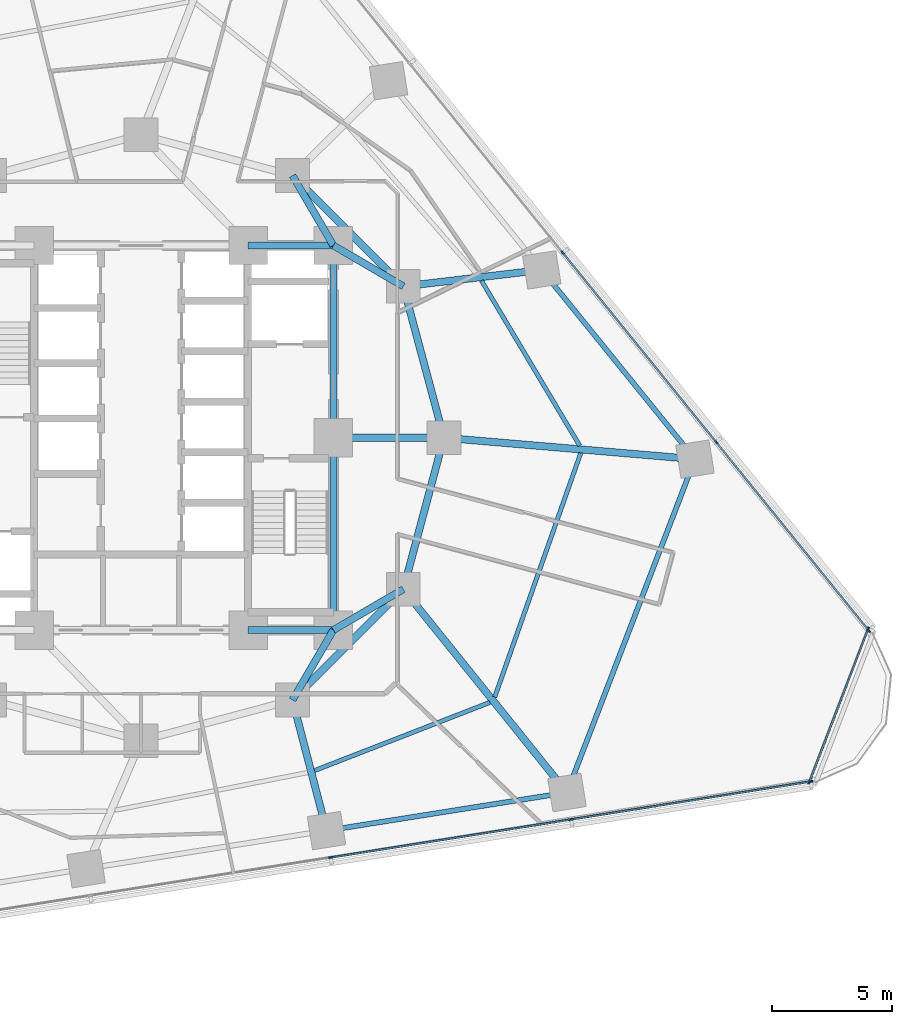
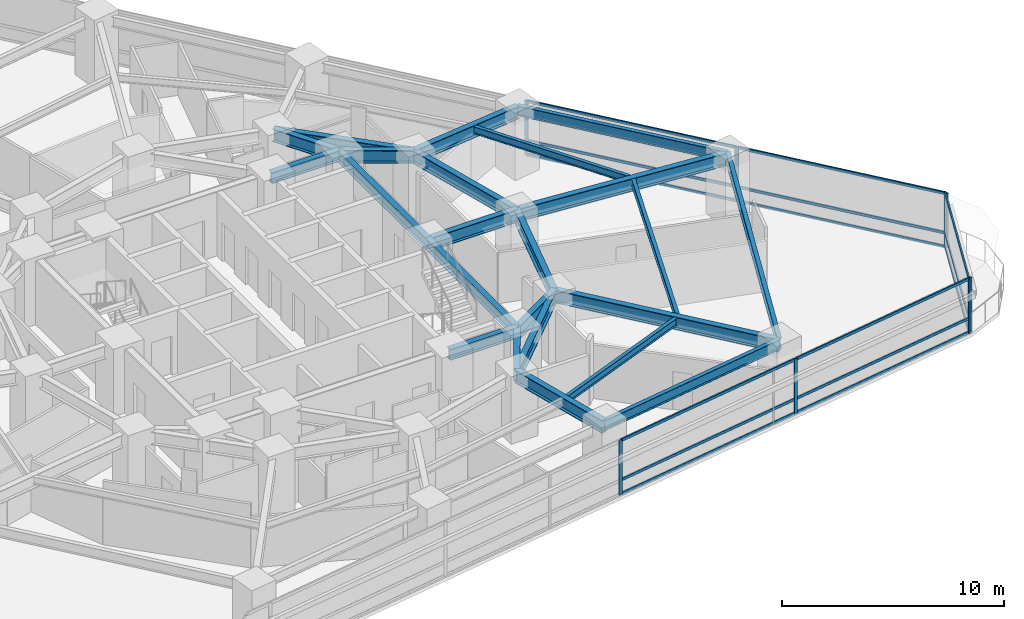
# One storey, part 4 of 14: 23 beams, 23 members, 3 elements without a shape of their own.
"""IFC4 building model written with IfcOpenShell, lengths in metres."""

from ifc_helpers import new_model, si_unit, direction, frame, origin, origin_2d, place, context, subcontext, project, spatial, rectangle, i_section, extrude, material, layer, layer_set, material_profile, profile_set, type_object, element, aggregate, save


model = new_model("IFC4")

# Units and contexts
model_context = context("Model", 3, precision=1e-05, world=origin(), true_north=direction((0.0, 1.0)))
body_context = subcontext(model_context, "Body", "Model", "MODEL_VIEW")
ifc_project = project(units=[si_unit("LENGTHUNIT", "METRE"), si_unit("AREAUNIT", "SQUARE_METRE"), si_unit("VOLUMEUNIT", "CUBIC_METRE"), si_unit("PLANEANGLEUNIT", "RADIAN"), si_unit("MASSUNIT", "GRAM", prefix="KILO")], contexts=[model_context])

# Site, building, storey
site_placement = place(None, origin())
site = spatial("IfcSite", under=ifc_project, at=site_placement, CompositionType="ELEMENT")
building_placement = place(site_placement, origin())
building = spatial("IfcBuilding", under=site, at=building_placement, Name="Terralouvre Media Tower", CompositionType="ELEMENT")
storey_placement = place(building_placement, frame((0.0, 0.0, 74.10009765625)))
storey = spatial("IfcBuildingStorey", under=building, at=storey_placement, Name="L18", CompositionType="ELEMENT", Elevation=74.10009765625)

# Beams
ifc_material_1 = material(Name="Structural steel S355J2", Category="steel")
ifc_material_profile_1 = material_profile(ifc_material_1, i_section(OverallWidth=0.179931640625, OverallDepth=0.39990234375, WebThickness=0.008544921875, FlangeThickness=0.013427734375, at=origin_2d()), Name="IPE 400")
ifc_profile_set_1 = profile_set([ifc_material_profile_1], Name="Structural steel S355J2")
beam_type_1 = type_object("IfcBeamType", Name="Composite Floor Joist J-IPE400 (IPE 400)", PredefinedType="JOIST", material=ifc_profile_set_1)
beam_1_placement = place(storey_placement, frame((7.21826171875, -13.844482421875, 3.2998046875), z_axis=(0.931999401601, 0.362459812139, 0.0), x_axis=(-0.362459812139, 0.931999401601, 0.0)))
element("IfcBeam", 1, at=beam_1_placement, inside=storey, type_object=beam_type_1, Name="L18 Framing Beam JT-L18-04", PredefinedType="JOIST", context=body_context, shape_type="SweptSolid", body=[
    extrude(i_section(OverallWidth=0.179931640625, OverallDepth=0.39990234375, WebThickness=0.008544921875, FlangeThickness=0.013427734375, at=origin_2d()), origin(), (0.0, 0.0, 1.0), 7.82470703125),
])
beam_2_placement = place(storey_placement, frame((14.713623046875, -10.78759765625, 3.2998046875), z_axis=(0.332419189209, 0.943131741935, 0.0), x_axis=(-0.943131741935, 0.332419189209, 0.0)))
element("IfcBeam", 2, at=beam_2_placement, inside=storey, type_object=beam_type_1, Name="L18 Framing Beam JT-L18-05", PredefinedType="JOIST", context=body_context, shape_type="SweptSolid", body=[
    extrude(i_section(OverallWidth=0.179931640625, OverallDepth=0.39990234375, WebThickness=0.008544921875, FlangeThickness=0.013427734375, at=origin_2d()), origin(), (0.0, 0.0, 1.0), 10.766845703125),
])
beam_3_placement = place(storey_placement, frame((18.250244140625, -0.331787109375, 3.2998046875), z_axis=(-0.511572999737, 0.859239818642, 0.0), x_axis=(-0.859239818642, -0.511572999737, 0.0)))
element("IfcBeam", 3, at=beam_3_placement, inside=storey, type_object=beam_type_1, Name="L18 Framing Beam JT-L18-06", PredefinedType="JOIST", context=body_context, shape_type="SweptSolid", body=[
    extrude(i_section(OverallWidth=0.179931640625, OverallDepth=0.39990234375, WebThickness=0.008544921875, FlangeThickness=0.013427734375, at=origin_2d()), origin(), (0.0, 0.0, 1.0), 7.99267578125),
])

# Curtain wall, members
ifc_material_2 = material(Name="Low-iron laminated double glazing with solar-control coating", Category="glass")
ifc_layer_1 = layer(ifc_material_2, 0.1650390625, Name="Lower Media Tower Unitised Curtain Wall CW-02")
ifc_layer_set_1 = layer_set([ifc_layer_1], Name="Low-iron laminated double glazing with solar-control coating")
curtain_wall_type_1 = type_object("IfcCurtainWallType", Name="Lower Media Tower Unitised Curtain Wall CW-02", PredefinedType="NOTDEFINED", material=ifc_layer_set_1)
curtain_wall_1_placement = place(storey_placement, origin())
curtain_wall_1 = element("IfcCurtainWall", 4, at=curtain_wall_1_placement, inside=storey, type_object=curtain_wall_type_1, Name="L18 Facade Curtain Wall F0", PredefinedType="NOTDEFINED")
ifc_material_3 = material(Name="Anodised extruded aluminium 6063-T6", Category="aluminium")
ifc_material_profile_2 = material_profile(ifc_material_3, rectangle(XDim=0.074951171875, YDim=0.14990234375, at=origin_2d()), Name="ALU 75x150")
ifc_profile_set_2 = profile_set([ifc_material_profile_2], Name="Anodised extruded aluminium 6063-T6")
member_type_1 = type_object("IfcMemberType", Name="Curtain-Wall Horizontal Transom TR-150", PredefinedType="USERDEFINED", material=ifc_profile_set_2)
member_1_placement = place(storey_placement, frame((7.929443359375, -17.452880859375, 0.037353515625), z_axis=(0.987690198625, 0.156422733448, 0.0), x_axis=(-0.156422733448, 0.987690198625, 0.0)))
member_1 = element("IfcMember", 5, at=member_1_placement, type_object=member_type_1, Name="CW-02 transom 4.1", ObjectType="TRANSOM", PredefinedType="USERDEFINED", context=body_context, shape_type="SweptSolid", body=[
    extrude(rectangle(XDim=0.074951171875, YDim=0.14990234375, at=origin_2d()), origin(), (0.0, 0.0, 1.0), 10.052978515625),
])
member_2_placement = place(storey_placement, frame((7.929443359375, -17.452880859375, 0.7998046875), z_axis=(0.987690198625, 0.156422733448, 0.0), x_axis=(-0.156422733448, 0.987690198625, 0.0)))
member_2 = element("IfcMember", 6, at=member_2_placement, type_object=member_type_1, Name="CW-02 transom 4.2", ObjectType="TRANSOM", PredefinedType="USERDEFINED", context=body_context, shape_type="SweptSolid", body=[
    extrude(rectangle(XDim=0.074951171875, YDim=0.14990234375, at=origin_2d()), origin(), (0.0, 0.0, 1.0), 10.052978515625),
])
member_3_placement = place(storey_placement, frame((7.929443359375, -17.452880859375, 2.96240234375), z_axis=(0.987690198625, 0.156422733448, 0.0), x_axis=(-0.156422733448, 0.987690198625, 0.0)))
member_3 = element("IfcMember", 7, at=member_3_placement, type_object=member_type_1, Name="CW-02 transom 4.3", ObjectType="TRANSOM", PredefinedType="USERDEFINED", context=body_context, shape_type="SweptSolid", body=[
    extrude(rectangle(XDim=0.074951171875, YDim=0.14990234375, at=origin_2d()), origin(), (0.0, 0.0, 1.0), 10.052978515625),
])
member_4_placement = place(storey_placement, frame((17.9326171875, -15.86865234375, 0.037353515625), z_axis=(0.987686755457, 0.156444472878, 0.0), x_axis=(-0.156444472878, 0.987686755457, 0.0)))
member_4 = element("IfcMember", 8, at=member_4_placement, type_object=member_type_1, Name="CW-02 transom 5.1", ObjectType="TRANSOM", PredefinedType="USERDEFINED", context=body_context, shape_type="SweptSolid", body=[
    extrude(rectangle(XDim=0.074951171875, YDim=0.14990234375, at=origin_2d()), origin(), (0.0, 0.0, 1.0), 10.015625),
])
member_5_placement = place(storey_placement, frame((17.9326171875, -15.86865234375, 0.7998046875), z_axis=(0.987686755457, 0.156444472878, 0.0), x_axis=(-0.156444472878, 0.987686755457, 0.0)))
member_5 = element("IfcMember", 9, at=member_5_placement, type_object=member_type_1, Name="CW-02 transom 5.2", ObjectType="TRANSOM", PredefinedType="USERDEFINED", context=body_context, shape_type="SweptSolid", body=[
    extrude(rectangle(XDim=0.074951171875, YDim=0.14990234375, at=origin_2d()), origin(), (0.0, 0.0, 1.0), 10.015625),
])
member_6_placement = place(storey_placement, frame((17.9326171875, -15.86865234375, 2.96240234375), z_axis=(0.987686755457, 0.156444472878, 0.0), x_axis=(-0.156444472878, 0.987686755457, 0.0)))
member_6 = element("IfcMember", 10, at=member_6_placement, type_object=member_type_1, Name="CW-02 transom 5.3", ObjectType="TRANSOM", PredefinedType="USERDEFINED", context=body_context, shape_type="SweptSolid", body=[
    extrude(rectangle(XDim=0.074951171875, YDim=0.14990234375, at=origin_2d()), origin(), (0.0, 0.0, 1.0), 10.015625),
])

curtain_wall_2_placement = place(storey_placement, origin())
curtain_wall_2 = element("IfcCurtainWall", 11, at=curtain_wall_2_placement, inside=storey, type_object=curtain_wall_type_1, Name="L18 Facade Curtain Wall F1", PredefinedType="NOTDEFINED")
member_7_placement = place(storey_placement, frame((30.247802734375, -7.990234375, 0.037353515625), z_axis=(-0.629312521445, 0.777152334071, 0.0), x_axis=(-0.777152334071, -0.629312521445, 0.0)))
member_7 = element("IfcMember", 12, at=member_7_placement, type_object=member_type_1, Name="CW-02 transom 1.1", ObjectType="TRANSOM", PredefinedType="USERDEFINED", context=body_context, shape_type="SweptSolid", body=[
    extrude(rectangle(XDim=0.074951171875, YDim=0.14990234375, at=origin_2d()), origin(), (0.0, 0.0, 1.0), 10.015625),
])
member_8_placement = place(storey_placement, frame((30.247802734375, -7.990234375, 0.7998046875), z_axis=(-0.629312521445, 0.777152334071, 0.0), x_axis=(-0.777152334071, -0.629312521445, 0.0)))
member_8 = element("IfcMember", 13, at=member_8_placement, type_object=member_type_1, Name="CW-02 transom 1.2", ObjectType="TRANSOM", PredefinedType="USERDEFINED", context=body_context, shape_type="SweptSolid", body=[
    extrude(rectangle(XDim=0.074951171875, YDim=0.14990234375, at=origin_2d()), origin(), (0.0, 0.0, 1.0), 10.015625),
])
member_9_placement = place(storey_placement, frame((30.247802734375, -7.990234375, 2.96240234375), z_axis=(-0.629312521445, 0.777152334071, 0.0), x_axis=(-0.777152334071, -0.629312521445, 0.0)))
member_9 = element("IfcMember", 14, at=member_9_placement, type_object=member_type_1, Name="CW-02 transom 1.3", ObjectType="TRANSOM", PredefinedType="USERDEFINED", context=body_context, shape_type="SweptSolid", body=[
    extrude(rectangle(XDim=0.074951171875, YDim=0.14990234375, at=origin_2d()), origin(), (0.0, 0.0, 1.0), 10.015625),
])
member_10_placement = place(storey_placement, frame((23.8974609375, -0.1484375, 0.037353515625), z_axis=(-0.629307207311, 0.777156637253, 0.0), x_axis=(-0.777156637253, -0.629307207311, 0.0)))
member_10 = element("IfcMember", 15, at=member_10_placement, type_object=member_type_1, Name="CW-02 transom 2.1", ObjectType="TRANSOM", PredefinedType="USERDEFINED", context=body_context, shape_type="SweptSolid", body=[
    extrude(rectangle(XDim=0.074951171875, YDim=0.14990234375, at=origin_2d()), origin(), (0.0, 0.0, 1.0), 10.052978515625),
])
member_11_placement = place(storey_placement, frame((23.8974609375, -0.1484375, 0.7998046875), z_axis=(-0.629307207311, 0.777156637253, 0.0), x_axis=(-0.777156637253, -0.629307207311, 0.0)))
member_11 = element("IfcMember", 16, at=member_11_placement, type_object=member_type_1, Name="CW-02 transom 2.2", ObjectType="TRANSOM", PredefinedType="USERDEFINED", context=body_context, shape_type="SweptSolid", body=[
    extrude(rectangle(XDim=0.074951171875, YDim=0.14990234375, at=origin_2d()), origin(), (0.0, 0.0, 1.0), 10.052978515625),
])
member_12_placement = place(storey_placement, frame((23.8974609375, -0.1484375, 2.96240234375), z_axis=(-0.629307207311, 0.777156637253, 0.0), x_axis=(-0.777156637253, -0.629307207311, 0.0)))
member_12 = element("IfcMember", 17, at=member_12_placement, type_object=member_type_1, Name="CW-02 transom 2.3", ObjectType="TRANSOM", PredefinedType="USERDEFINED", context=body_context, shape_type="SweptSolid", body=[
    extrude(rectangle(XDim=0.074951171875, YDim=0.14990234375, at=origin_2d()), origin(), (0.0, 0.0, 1.0), 10.052978515625),
])

ifc_material_4 = material(Name="Low-iron laminated double glazing with solar-control coating", Category="glass")
ifc_layer_2 = layer(ifc_material_4, 0.1650390625, Name="Rounded Wind-Corner Curved Glazing CW-04")
ifc_layer_set_2 = layer_set([ifc_layer_2], Name="Low-iron laminated double glazing with solar-control coating")
curtain_wall_type_2 = type_object("IfcCurtainWallType", Name="Rounded Wind-Corner Curved Glazing CW-04", PredefinedType="NOTDEFINED", material=ifc_layer_set_2)
curtain_wall_3_placement = place(storey_placement, origin())
curtain_wall_3 = element("IfcCurtainWall", 18, at=curtain_wall_3_placement, inside=storey, type_object=curtain_wall_type_2, Name="L18 Rounded Wind-Corner Curtain Wall C1", PredefinedType="NOTDEFINED")
member_13_placement = place(storey_placement, frame((27.81396484375, -14.288330078125, 0.037353515625), z_axis=(0.358345802392, 0.933588927691, 0.0), x_axis=(-0.933588927691, 0.358345802392, 0.0)))
member_13 = element("IfcMember", 19, at=member_13_placement, type_object=member_type_1, Name="CW-04 transom 1.1", ObjectType="TRANSOM", PredefinedType="USERDEFINED", context=body_context, shape_type="SweptSolid", body=[
    extrude(rectangle(XDim=0.074951171875, YDim=0.14990234375, at=origin_2d()), origin(), (0.0, 0.0, 1.0), 6.743408203125),
])
member_14_placement = place(storey_placement, frame((27.81396484375, -14.288330078125, 0.7998046875), z_axis=(0.358345802392, 0.933588927691, 0.0), x_axis=(-0.933588927691, 0.358345802392, 0.0)))
member_14 = element("IfcMember", 20, at=member_14_placement, type_object=member_type_1, Name="CW-04 transom 1.2", ObjectType="TRANSOM", PredefinedType="USERDEFINED", context=body_context, shape_type="SweptSolid", body=[
    extrude(rectangle(XDim=0.074951171875, YDim=0.14990234375, at=origin_2d()), origin(), (0.0, 0.0, 1.0), 6.743408203125),
])
member_15_placement = place(storey_placement, frame((27.81396484375, -14.288330078125, 2.96240234375), z_axis=(0.358345802392, 0.933588927691, 0.0), x_axis=(-0.933588927691, 0.358345802392, 0.0)))
member_15 = element("IfcMember", 21, at=member_15_placement, type_object=member_type_1, Name="CW-04 transom 1.3", ObjectType="TRANSOM", PredefinedType="USERDEFINED", context=body_context, shape_type="SweptSolid", body=[
    extrude(rectangle(XDim=0.074951171875, YDim=0.14990234375, at=origin_2d()), origin(), (0.0, 0.0, 1.0), 6.743408203125),
])

# Member
ifc_material_5 = material(Name="Anodised extruded aluminium 6063-T6", Category="aluminium")
ifc_material_profile_3 = material_profile(ifc_material_5, rectangle(XDim=0.074951171875, YDim=0.179931640625, at=origin_2d()), Name="ALU 75x180")
ifc_profile_set_3 = profile_set([ifc_material_profile_3], Name="Anodised extruded aluminium 6063-T6")
member_type_2 = type_object("IfcMemberType", Name="Curtain-Wall Vertical Mullion ML-180", PredefinedType="MULLION", material=ifc_profile_set_3)
member_16_placement = place(storey_placement, frame((7.892333984375, -17.458740234375, 0.0), z_axis=(0.0, 0.0, 1.0), x_axis=(-0.156434462903, 0.987688340934, 0.0)))
member_16 = element("IfcMember", 22, at=member_16_placement, type_object=member_type_2, Name="CW-02 mullion 4", PredefinedType="MULLION", context=body_context, shape_type="SweptSolid", body=[
    extrude(rectangle(XDim=0.074951171875, YDim=0.179931640625, at=origin_2d()), origin(), (0.0, 0.0, 1.0), 3.0),
])

member_17_placement = place(storey_placement, frame((17.895751953125, -15.87451171875, 0.0), z_axis=(0.0, 0.0, 1.0), x_axis=(-0.156434462903, 0.987688340934, 0.0)))
member_17 = element("IfcMember", 23, at=member_17_placement, type_object=member_type_2, Name="CW-02 mullion 5", PredefinedType="MULLION", context=body_context, shape_type="SweptSolid", body=[
    extrude(rectangle(XDim=0.074951171875, YDim=0.179931640625, at=origin_2d()), origin(), (0.0, 0.0, 1.0), 3.0),
])

member_18_placement = place(storey_placement, frame((27.86181640625, -14.2958984375, 0.0), z_axis=(0.0, 0.0, 1.0), x_axis=(-0.156434462903, 0.987688340934, 0.0)))
member_18 = element("IfcMember", 24, at=member_18_placement, type_object=member_type_2, Name="CW-02 mullion 6", PredefinedType="MULLION", context=body_context, shape_type="SweptSolid", body=[
    extrude(rectangle(XDim=0.074951171875, YDim=0.179931640625, at=origin_2d()), origin(), (0.0, 0.0, 1.0), 3.0),
])

aggregate(curtain_wall_1, [member_16, member_17, member_18, member_1, member_2, member_3, member_4, member_5, member_6])

member_19_placement = place(storey_placement, frame((30.271240234375, -8.019287109375, 0.0), z_axis=(0.0, 0.0, 1.0), x_axis=(-0.777145994276, -0.629320350521, 0.0)))
member_19 = element("IfcMember", 25, at=member_19_placement, type_object=member_type_2, Name="CW-02 mullion 1", PredefinedType="MULLION", context=body_context, shape_type="SweptSolid", body=[
    extrude(rectangle(XDim=0.074951171875, YDim=0.179931640625, at=origin_2d()), origin(), (0.0, 0.0, 1.0), 3.0),
])

member_20_placement = place(storey_placement, frame((23.921142578125, -0.177490234375, 0.0), z_axis=(0.0, 0.0, 1.0), x_axis=(-0.777145994276, -0.629320350521, 0.0)))
member_20 = element("IfcMember", 26, at=member_20_placement, type_object=member_type_2, Name="CW-02 mullion 2", PredefinedType="MULLION", context=body_context, shape_type="SweptSolid", body=[
    extrude(rectangle(XDim=0.074951171875, YDim=0.179931640625, at=origin_2d()), origin(), (0.0, 0.0, 1.0), 3.0),
])

member_21_placement = place(storey_placement, frame((17.54736328125, 7.693359375, 0.0), z_axis=(0.0, 0.0, 1.0), x_axis=(-0.777145994276, -0.629320350521, 0.0)))
member_21 = element("IfcMember", 27, at=member_21_placement, type_object=member_type_2, Name="CW-02 mullion 3", PredefinedType="MULLION", context=body_context, shape_type="SweptSolid", body=[
    extrude(rectangle(XDim=0.074951171875, YDim=0.179931640625, at=origin_2d()), origin(), (0.0, 0.0, 1.0), 3.0),
])

aggregate(curtain_wall_2, [member_19, member_20, member_21, member_7, member_8, member_9, member_10, member_11, member_12])

member_22_placement = place(storey_placement, frame((27.800537109375, -14.323486328125, 0.0), z_axis=(0.0, 0.0, 1.0), x_axis=(-0.933580609478, 0.358367472863, 0.0)))
member_22 = element("IfcMember", 28, at=member_22_placement, type_object=member_type_2, Name="CW-04 mullion 1", PredefinedType="MULLION", context=body_context, shape_type="SweptSolid", body=[
    extrude(rectangle(XDim=0.074951171875, YDim=0.179931640625, at=origin_2d()), origin(), (0.0, 0.0, 1.0), 3.0),
])

member_23_placement = place(storey_placement, frame((30.243896484375, -7.957763671875, 0.0), z_axis=(0.0, 0.0, 1.0), x_axis=(-0.933580609478, 0.358367472863, 0.0)))
member_23 = element("IfcMember", 29, at=member_23_placement, type_object=member_type_2, Name="CW-04 mullion 2", PredefinedType="MULLION", context=body_context, shape_type="SweptSolid", body=[
    extrude(rectangle(XDim=0.074951171875, YDim=0.179931640625, at=origin_2d()), origin(), (0.0, 0.0, 1.0), 3.0),
])

aggregate(curtain_wall_3, [member_22, member_23, member_13, member_14, member_15])

# Beams
ifc_material_6 = material(Name="Structural steel S355J2", Category="steel")
ifc_material_profile_4 = material_profile(ifc_material_6, i_section(OverallWidth=0.2099609375, OverallDepth=0.550048828125, WebThickness=0.010986328125, FlangeThickness=0.01708984375, at=origin_2d()), Name="IPE 550")
ifc_profile_set_4 = profile_set([ifc_material_profile_4], Name="Structural steel S355J2")
beam_type_2 = type_object("IfcBeamType", Name="Perimeter Spandrel Beam SPB-550 (IPE 550)", PredefinedType="SPANDREL", material=ifc_profile_set_4)
beam_4_placement = place(storey_placement, frame((7.715576171875, -16.3427734375, 3.224853515625), z_axis=(0.987686424887, 0.156446559869, 0.0), x_axis=(-0.156446559869, 0.987686424887, 0.0)))
element("IfcBeam", 30, at=beam_4_placement, inside=storey, type_object=beam_type_2, Name="L18 Framing Beam BM-L18-PR04", PredefinedType="SPANDREL", context=body_context, shape_type="SweptSolid", body=[
    extrude(i_section(OverallWidth=0.2099609375, OverallDepth=0.550048828125, WebThickness=0.010986328125, FlangeThickness=0.01708984375, at=origin_2d()), origin(), (0.0, 0.0, 1.0), 10.1279296875),
])
beam_5_placement = place(storey_placement, frame((17.71875, -14.75830078125, 3.224853515625), z_axis=(0.358377748767, 0.933576664869, 0.0), x_axis=(-0.933576664869, 0.358377748767, 0.0)))
element("IfcBeam", 31, at=beam_5_placement, inside=storey, type_object=beam_type_2, Name="L18 Framing Beam BM-L18-PR05", PredefinedType="SPANDREL", context=body_context, shape_type="SweptSolid", body=[
    extrude(i_section(OverallWidth=0.2099609375, OverallDepth=0.550048828125, WebThickness=0.010986328125, FlangeThickness=0.01708984375, at=origin_2d()), origin(), (0.0, 0.0, 1.0), 14.8564453125),
])
beam_6_placement = place(storey_placement, frame((23.04296875, -0.888671875, 3.224853515625), z_axis=(-0.629314025627, 0.777151116031, 0.0), x_axis=(-0.777151116031, -0.629314025627, 0.0)))
element("IfcBeam", 32, at=beam_6_placement, inside=storey, type_object=beam_type_2, Name="L18 Framing Beam BM-L18-PR06", PredefinedType="SPANDREL", context=body_context, shape_type="SweptSolid", body=[
    extrude(i_section(OverallWidth=0.2099609375, OverallDepth=0.550048828125, WebThickness=0.010986328125, FlangeThickness=0.01708984375, at=origin_2d()), origin(), (0.0, 0.0, 1.0), 10.128173828125),
])
ifc_material_7 = material(Name="Structural steel S460M", Category="steel")
ifc_material_profile_5 = material_profile(ifc_material_7, i_section(OverallWidth=0.300048828125, OverallDepth=0.60009765625, WebThickness=0.015380859375, FlangeThickness=0.030029296875, at=origin_2d()), Name="HEB 600")
ifc_profile_set_5 = profile_set([ifc_material_profile_5], Name="Structural steel S460M")
beam_type_3 = type_object("IfcBeamType", Name="Primary Floor Girder B-HEB600 (HEB 600)", PredefinedType="BEAM", material=ifc_profile_set_5)
beam_7_placement = place(storey_placement, frame((4.449951171875, -8.0, 3.199951171875), z_axis=(1.0, 0.0, 0.0), x_axis=(0.0, 1.0, 0.0)))
element("IfcBeam", 33, at=beam_7_placement, inside=storey, type_object=beam_type_3, Name="L18 Framing Beam BM-L18-CPR03", PredefinedType="BEAM", context=body_context, shape_type="SweptSolid", body=[
    extrude(i_section(OverallWidth=0.300048828125, OverallDepth=0.60009765625, WebThickness=0.015380859375, FlangeThickness=0.030029296875, at=origin_2d()), origin(), (0.0, 0.0, 1.0), 3.550048828125),
])
for number, where, z_axis, x_axis, name in (
    (34, (8.0, -8.0, 3.199951171875), (0.0, 1.0, 0.0), (-1.0, 0.0, 0.0), "L18 Framing Beam BM-L18-CPR04"),
    (35, (8.0, 0.0, 3.199951171875), (0.0, 1.0, 0.0), (-1.0, 0.0, 0.0), "L18 Framing Beam BM-L18-CPR05"),
):
    element("IfcBeam", number, at=place(storey_placement, frame(where, z_axis=z_axis, x_axis=x_axis)), inside=storey, type_object=beam_type_3, Name=name, PredefinedType="BEAM", context=body_context, shape_type="SweptSolid", body=[
        extrude(i_section(OverallWidth=0.300048828125, OverallDepth=0.60009765625, WebThickness=0.015380859375, FlangeThickness=0.030029296875, at=origin_2d()), origin(), (0.0, 0.0, 1.0), 8.0),
    ])
beam_8_placement = place(storey_placement, frame((8.0, 8.0, 3.199951171875), z_axis=(-1.0, 0.0, 0.0), x_axis=(0.0, -1.0, 0.0)))
element("IfcBeam", 36, at=beam_8_placement, inside=storey, type_object=beam_type_3, Name="L18 Framing Beam BM-L18-CPR06", PredefinedType="BEAM", context=body_context, shape_type="SweptSolid", body=[
    extrude(i_section(OverallWidth=0.300048828125, OverallDepth=0.60009765625, WebThickness=0.015380859375, FlangeThickness=0.030029296875, at=origin_2d()), origin(), (0.0, 0.0, 1.0), 3.550048828125),
])
ifc_material_8 = material(Name="Structural steel S460M", Category="steel")
ifc_material_profile_6 = material_profile(ifc_material_8, i_section(OverallWidth=0.300048828125, OverallDepth=0.699951171875, WebThickness=0.01708984375, FlangeThickness=0.031982421875, at=origin_2d()), Name="HEB 700")
ifc_profile_set_6 = profile_set([ifc_material_profile_6], Name="Structural steel S460M")
beam_type_4 = type_object("IfcBeamType", Name="Primary Floor Girder B-HEB700 (HEB 700)", PredefinedType="BEAM", material=ifc_profile_set_6)
beam_9_placement = place(storey_placement, frame((6.300048828125, -10.911865234375, 3.14990234375), z_axis=(0.707106781187, 0.707106781187, 0.0), x_axis=(-0.707106781187, 0.707106781187, 0.0)))
element("IfcBeam", 37, at=beam_9_placement, inside=storey, type_object=beam_type_4, Name="L18 Framing Beam BM-L18-MR04", PredefinedType="BEAM", context=body_context, shape_type="SweptSolid", body=[
    extrude(i_section(OverallWidth=0.300048828125, OverallDepth=0.699951171875, WebThickness=0.01708984375, FlangeThickness=0.031982421875, at=origin_2d()), origin(), (0.0, 0.0, 1.0), 6.52197265625),
])
for number, where, z_axis, x_axis, name in (
    (38, (10.911865234375, -6.300048828125, 3.14990234375), (0.258838989821, 0.965920481897, 0.0), (-0.965920481897, 0.258838989821, 0.0), "L18 Framing Beam BM-L18-MR05"),
    (39, (12.60009765625, 0.0, 3.14990234375), (-0.258838989821, 0.965920481897, 0.0), (-0.965920481897, -0.258838989821, 0.0), "L18 Framing Beam BM-L18-MR06"),
):
    element("IfcBeam", number, at=place(storey_placement, frame(where, z_axis=z_axis, x_axis=x_axis)), inside=storey, type_object=beam_type_4, Name=name, PredefinedType="BEAM", context=body_context, shape_type="SweptSolid", body=[
        extrude(i_section(OverallWidth=0.300048828125, OverallDepth=0.699951171875, WebThickness=0.01708984375, FlangeThickness=0.031982421875, at=origin_2d()), origin(), (0.0, 0.0, 1.0), 6.522216796875),
    ])
beam_10_placement = place(storey_placement, frame((10.911865234375, 6.300048828125, 3.14990234375), z_axis=(-0.707106781187, 0.707106781187, 0.0), x_axis=(-0.707106781187, -0.707106781187, 0.0)))
element("IfcBeam", 40, at=beam_10_placement, inside=storey, type_object=beam_type_4, Name="L18 Framing Beam BM-L18-MR07", PredefinedType="BEAM", context=body_context, shape_type="SweptSolid", body=[
    extrude(i_section(OverallWidth=0.300048828125, OverallDepth=0.699951171875, WebThickness=0.01708984375, FlangeThickness=0.031982421875, at=origin_2d()), origin(), (0.0, 0.0, 1.0), 6.52197265625),
])
for number, where, z_axis, x_axis, name in (
    (41, (8.0, -8.0, 3.14990234375), (-0.504172629717, -0.863602894532, 0.0), (0.863602894532, -0.504172629717, 0.0), "L18 Framing Beam BM-L18-CM04"),
    (42, (8.0, -8.0, 3.14990234375), (0.863602894532, 0.504172629717, 0.0), (-0.504172629717, 0.863602894532, 0.0), "L18 Framing Beam BM-L18-CM05"),
):
    element("IfcBeam", number, at=place(storey_placement, frame(where, z_axis=z_axis, x_axis=x_axis)), inside=storey, type_object=beam_type_4, Name=name, PredefinedType="BEAM", context=body_context, shape_type="SweptSolid", body=[
        extrude(i_section(OverallWidth=0.300048828125, OverallDepth=0.699951171875, WebThickness=0.01708984375, FlangeThickness=0.031982421875, at=origin_2d()), origin(), (0.0, 0.0, 1.0), 3.371826171875),
    ])
beam_11_placement = place(storey_placement, frame((8.0, 0.0, 3.14990234375), z_axis=(1.0, 0.0, 0.0), x_axis=(0.0, 1.0, 0.0)))
element("IfcBeam", 43, at=beam_11_placement, inside=storey, type_object=beam_type_4, Name="L18 Framing Beam BM-L18-CM06", PredefinedType="BEAM", context=body_context, shape_type="SweptSolid", body=[
    extrude(i_section(OverallWidth=0.300048828125, OverallDepth=0.699951171875, WebThickness=0.01708984375, FlangeThickness=0.031982421875, at=origin_2d()), origin(), (0.0, 0.0, 1.0), 4.60009765625),
])
for number, where, z_axis, x_axis, name in (
    (44, (8.0, 8.0, 3.14990234375), (0.863602894532, -0.504172629717, 0.0), (0.504172629717, 0.863602894532, 0.0), "L18 Framing Beam BM-L18-CM07"),
    (45, (8.0, 8.0, 3.14990234375), (-0.504172629717, 0.863602894532, 0.0), (-0.863602894532, -0.504172629717, 0.0), "L18 Framing Beam BM-L18-CM08"),
):
    element("IfcBeam", number, at=place(storey_placement, frame(where, z_axis=z_axis, x_axis=x_axis)), inside=storey, type_object=beam_type_4, Name=name, PredefinedType="BEAM", context=body_context, shape_type="SweptSolid", body=[
        extrude(i_section(OverallWidth=0.300048828125, OverallDepth=0.699951171875, WebThickness=0.01708984375, FlangeThickness=0.031982421875, at=origin_2d()), origin(), (0.0, 0.0, 1.0), 3.371826171875),
    ])
beam_12_placement = place(storey_placement, frame((6.300048828125, -10.911865234375, 3.14990234375), z_axis=(0.252216476238, -0.967670837172, 0.0), x_axis=(0.967670837172, 0.252216476238, 0.0)))
element("IfcBeam", 46, at=beam_12_placement, inside=storey, type_object=beam_type_4, Name="L18 Framing Beam BM-L18-RD04", PredefinedType="BEAM", context=body_context, shape_type="SweptSolid", body=[
    extrude(i_section(OverallWidth=0.300048828125, OverallDepth=0.699951171875, WebThickness=0.01708984375, FlangeThickness=0.031982421875, at=origin_2d()), origin(), (0.0, 0.0, 1.0), 5.6123046875),
])
beam_13_placement = place(storey_placement, frame((10.911865234375, -6.300048828125, 3.14990234375), z_axis=(0.626954818356, -0.779055617874, 0.0), x_axis=(0.779055617874, 0.626954818356, 0.0)))
element("IfcBeam", 47, at=beam_13_placement, inside=storey, type_object=beam_type_4, Name="L18 Framing Beam BM-L18-RD05", PredefinedType="BEAM", context=body_context, shape_type="SweptSolid", body=[
    extrude(i_section(OverallWidth=0.300048828125, OverallDepth=0.699951171875, WebThickness=0.01708984375, FlangeThickness=0.031982421875, at=origin_2d()), origin(), (0.0, 0.0, 1.0), 10.857177734375),
])
beam_14_placement = place(storey_placement, frame((12.60009765625, 0.0, 3.14990234375), z_axis=(0.996398677219, -0.084791957382, 0.0), x_axis=(0.084791957382, 0.996398677219, 0.0)))
element("IfcBeam", 48, at=beam_14_placement, inside=storey, type_object=beam_type_4, Name="L18 Framing Beam BM-L18-RD06", PredefinedType="BEAM", context=body_context, shape_type="SweptSolid", body=[
    extrude(i_section(OverallWidth=0.300048828125, OverallDepth=0.699951171875, WebThickness=0.01708984375, FlangeThickness=0.031982421875, at=origin_2d()), origin(), (0.0, 0.0, 1.0), 10.480712890625),
])
beam_15_placement = place(storey_placement, frame((10.911865234375, 6.300048828125, 3.14990234375), z_axis=(0.993049341372, 0.117698791838, 0.0), x_axis=(-0.117698791838, 0.993049341372, 0.0)))
element("IfcBeam", 49, at=beam_15_placement, inside=storey, type_object=beam_type_4, Name="L18 Framing Beam BM-L18-RD07", PredefinedType="BEAM", context=body_context, shape_type="SweptSolid", body=[
    extrude(i_section(OverallWidth=0.300048828125, OverallDepth=0.699951171875, WebThickness=0.01708984375, FlangeThickness=0.031982421875, at=origin_2d()), origin(), (0.0, 0.0, 1.0), 5.797607421875),
])

save(model, "model.ifc")
